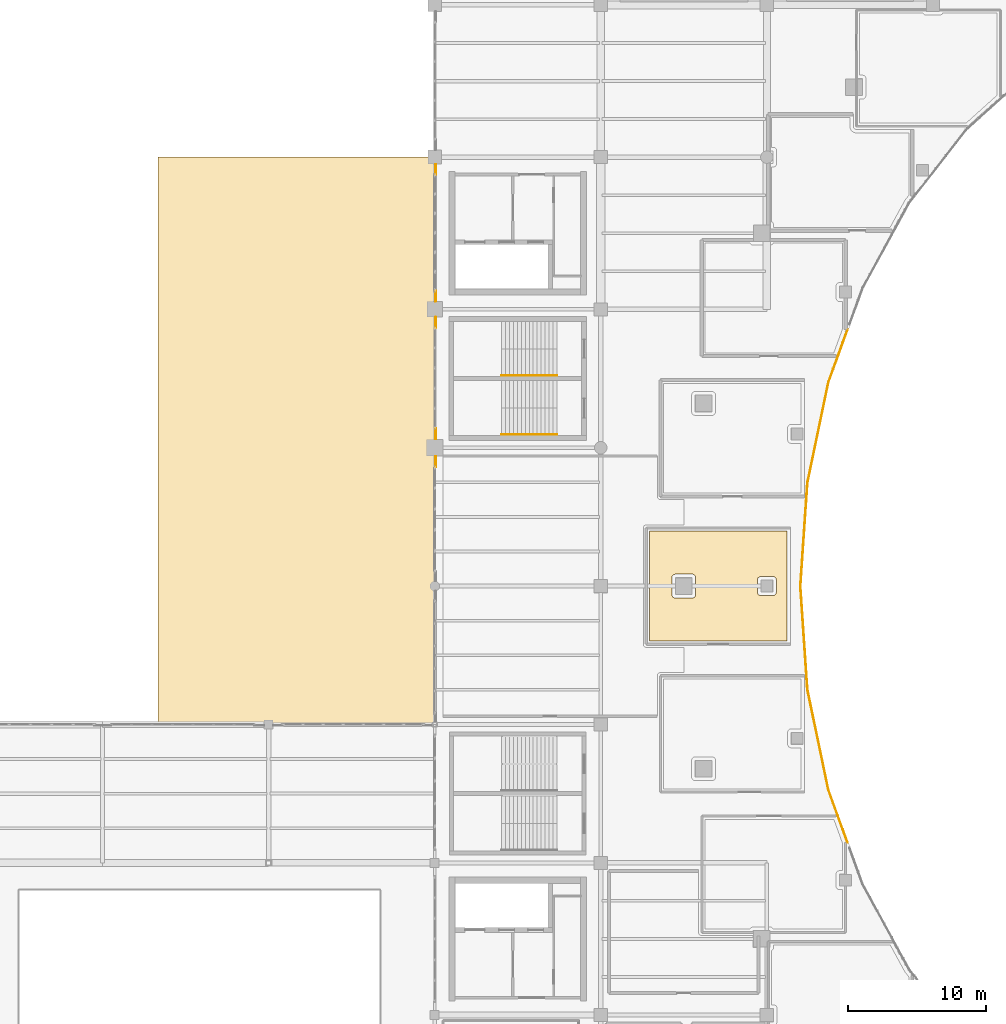
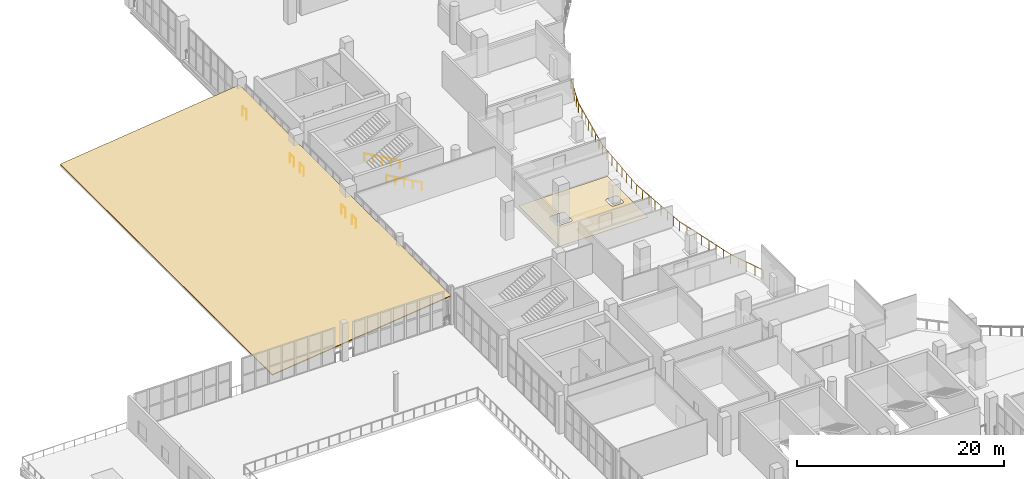
# One storey, part 82 of 90: 8 railings, 2 coverings.
"""IFC4 building model written with IfcOpenShell, lengths in metres."""

from ifc_helpers import new_model, si_unit, direction, frame, origin, origin_2d, place, context, subcontext, project, spatial, polyline, circle, outline, extrude, material, layer, layer_set, type_object, element, save


model = new_model("IFC4")

# Units and contexts
model_context = context("Model", 3, precision=1e-05, world=origin(), true_north=direction((0.0, 1.0)))
body_context = subcontext(model_context, "Body", "Model", "MODEL_VIEW")
ifc_project = project(units=[si_unit("LENGTHUNIT", "METRE"), si_unit("AREAUNIT", "SQUARE_METRE"), si_unit("VOLUMEUNIT", "CUBIC_METRE"), si_unit("PLANEANGLEUNIT", "RADIAN"), si_unit("MASSUNIT", "GRAM", prefix="KILO")], contexts=[model_context])

# Site, building, storey
site_placement = place(None, origin())
site = spatial("IfcSite", under=ifc_project, at=site_placement, CompositionType="ELEMENT")
building_placement = place(site_placement, origin())
building = spatial("IfcBuilding", under=site, at=building_placement, Name="Brinegate Civic Arena", CompositionType="ELEMENT")
storey_placement = place(building_placement, frame((0.0, 0.0, 14.699951171875)))
storey = spatial("IfcBuildingStorey", under=building, at=storey_placement, Name="L03", CompositionType="ELEMENT", Elevation=14.699951171875)

# Covering
ifc_material_1 = material(Name="Polished coral terrazzo flooring")
ifc_layer_1 = layer(ifc_material_1, 0.028076171875, Name="Polished coral terrazzo flooring")
ifc_layer_set_1 = layer_set([ifc_layer_1], Name="Polished coral terrazzo flooring")
covering_type_1 = type_object("IfcCoveringType", Name="FLOORING-TERRAZZO-28", PredefinedType="FLOORING", material=ifc_layer_set_1)
covering_1_placement = place(storey_placement, origin())
element("IfcCovering", 1, at=covering_1_placement, inside=storey, type_object=covering_type_1, Name="Flooring L03-205", PredefinedType="FLOORING", context=body_context, shape_type="SweptSolid", body=[
    extrude(outline(polyline([(63.530029296875, 58.030029296875), (63.530029296875, 65.969970703125), (73.469970703125, 65.969970703125), (73.469970703125, 58.030029296875), (63.530029296875, 58.030029296875)]), holes=[polyline([(71.56494140625, 62.68505859375), (71.5400390625, 62.68408203125), (71.51611328125, 62.679931640625), (71.491943359375, 62.674072265625), (71.468994140625, 62.666015625), (71.447021484375, 62.655029296875), (71.426025390625, 62.64306640625), (71.406005859375, 62.6279296875), (71.387939453125, 62.612060546875), (71.3720703125, 62.593994140625), (71.35693359375, 62.573974609375), (71.344970703125, 62.552978515625), (71.333984375, 62.531005859375), (71.325927734375, 62.508056640625), (71.320068359375, 62.48388671875), (71.31591796875, 62.4599609375), (71.31494140625, 62.43505859375), (71.31494140625, 61.56494140625), (71.31591796875, 61.5400390625), (71.320068359375, 61.51611328125), (71.325927734375, 61.491943359375), (71.333984375, 61.468994140625), (71.344970703125, 61.447021484375), (71.35693359375, 61.426025390625), (71.3720703125, 61.406005859375), (71.387939453125, 61.387939453125), (71.406005859375, 61.3720703125), (71.426025390625, 61.35693359375), (71.447021484375, 61.344970703125), (71.468994140625, 61.333984375), (71.491943359375, 61.325927734375), (71.51611328125, 61.320068359375), (71.5400390625, 61.31591796875), (71.56494140625, 61.31494140625), (72.43505859375, 61.31494140625), (72.4599609375, 61.31591796875), (72.48388671875, 61.320068359375), (72.508056640625, 61.325927734375), (72.531005859375, 61.333984375), (72.552978515625, 61.344970703125), (72.573974609375, 61.35693359375), (72.593994140625, 61.3720703125), (72.612060546875, 61.387939453125), (72.6279296875, 61.406005859375), (72.64306640625, 61.426025390625), (72.655029296875, 61.447021484375), (72.666015625, 61.468994140625), (72.674072265625, 61.491943359375), (72.679931640625, 61.51611328125), (72.68408203125, 61.5400390625), (72.68505859375, 61.56494140625), (72.68505859375, 62.43505859375), (72.68408203125, 62.4599609375), (72.679931640625, 62.48388671875), (72.674072265625, 62.508056640625), (72.666015625, 62.531005859375), (72.655029296875, 62.552978515625), (72.64306640625, 62.573974609375), (72.6279296875, 62.593994140625), (72.612060546875, 62.612060546875), (72.593994140625, 62.6279296875), (72.573974609375, 62.64306640625), (72.552978515625, 62.655029296875), (72.531005859375, 62.666015625), (72.508056640625, 62.674072265625), (72.48388671875, 62.679931640625), (72.4599609375, 62.68408203125), (72.43505859375, 62.68505859375), (71.56494140625, 62.68505859375)]), polyline([(65.389892578125, 62.860107421875), (65.364990234375, 62.85888671875), (65.341064453125, 62.85498046875), (65.31689453125, 62.84912109375), (65.2939453125, 62.841064453125), (65.27197265625, 62.830078125), (65.2509765625, 62.818115234375), (65.23095703125, 62.802978515625), (65.212890625, 62.787109375), (65.197021484375, 62.76904296875), (65.181884765625, 62.7490234375), (65.169921875, 62.72802734375), (65.158935546875, 62.7060546875), (65.15087890625, 62.68310546875), (65.14501953125, 62.658935546875), (65.14111328125, 62.635009765625), (65.139892578125, 62.610107421875), (65.139892578125, 61.389892578125), (65.14111328125, 61.364990234375), (65.14501953125, 61.341064453125), (65.15087890625, 61.31689453125), (65.158935546875, 61.2939453125), (65.169921875, 61.27197265625), (65.181884765625, 61.2509765625), (65.197021484375, 61.23095703125), (65.212890625, 61.212890625), (65.23095703125, 61.197021484375), (65.2509765625, 61.181884765625), (65.27197265625, 61.169921875), (65.2939453125, 61.158935546875), (65.31689453125, 61.15087890625), (65.341064453125, 61.14501953125), (65.364990234375, 61.14111328125), (65.389892578125, 61.139892578125), (66.610107421875, 61.139892578125), (66.635009765625, 61.14111328125), (66.658935546875, 61.14501953125), (66.68310546875, 61.15087890625), (66.7060546875, 61.158935546875), (66.72802734375, 61.169921875), (66.7490234375, 61.181884765625), (66.76904296875, 61.197021484375), (66.787109375, 61.212890625), (66.802978515625, 61.23095703125), (66.818115234375, 61.2509765625), (66.830078125, 61.27197265625), (66.841064453125, 61.2939453125), (66.84912109375, 61.31689453125), (66.85498046875, 61.341064453125), (66.85888671875, 61.364990234375), (66.860107421875, 61.389892578125), (66.860107421875, 62.610107421875), (66.85888671875, 62.635009765625), (66.85498046875, 62.658935546875), (66.84912109375, 62.68310546875), (66.841064453125, 62.7060546875), (66.830078125, 62.72802734375), (66.818115234375, 62.7490234375), (66.802978515625, 62.76904296875), (66.787109375, 62.787109375), (66.76904296875, 62.802978515625), (66.7490234375, 62.818115234375), (66.72802734375, 62.830078125), (66.7060546875, 62.841064453125), (66.68310546875, 62.84912109375), (66.658935546875, 62.85498046875), (66.635009765625, 62.85888671875), (66.610107421875, 62.860107421875), (65.389892578125, 62.860107421875)])]), origin(), (0.0, 0.0, 1.0), 0.028076171875),
])

# Railings
ifc_material_2 = material(Name="Architectural stainless steel balustrade", Category="steel")
railing_type_1 = type_object("IfcRailingType", Name="RAIL-STAIR-HANDRAIL-900", PredefinedType="HANDRAIL", material=ifc_material_2)
for number, where, name in (
    (2, (52.840087890625, 72.955078125, 2.25), "Stair Pitch Handrail ST-07A L03"),
    (3, (52.840087890625, 77.22509765625, 2.25), "Stair Pitch Handrail ST-07B L03"),
):
    element("IfcRailing", number, at=place(storey_placement, frame(where)), inside=storey, type_object=railing_type_1, Name=name, PredefinedType="HANDRAIL", context=body_context, shape_type="SweptSolid", body=[
        extrude(circle(Radius=0.02392578125, at=origin_2d()), frame((0.001220703125, 0.0, 0.875), z_axis=(0.871049806155, 0.0, -0.491194701923), x_axis=(0.0, 1.0, 0.0)), (0.0, 0.0, 1.0), 4.57763671875),
        extrude(circle(Radius=0.02099609375, at=origin_2d()), origin(), (0.0, 0.0, 1.0), 0.849853515625),
        extrude(circle(Radius=0.02099609375, at=origin_2d()), frame((0.99755859375, 0.0, -0.5625)), (0.0, 0.0, 1.0), 0.849853515625),
        extrude(circle(Radius=0.02099609375, at=origin_2d()), frame((1.9951171875, 0.0, -1.125)), (0.0, 0.0, 1.0), 0.849853515625),
        extrude(circle(Radius=0.02099609375, at=origin_2d()), frame((2.992431640625, 0.0, -1.6875)), (0.0, 0.0, 1.0), 0.849853515625),
        extrude(circle(Radius=0.02099609375, at=origin_2d()), frame((3.989990234375, 0.0, -2.25)), (0.0, 0.0, 1.0), 0.849853515625),
    ])
railing_type_2 = type_object("IfcRailingType", Name="RAIL-VOID-BALUSTRADE-1120", PredefinedType="BALUSTRADE", material=ifc_material_2)
for number, where, name in (
    (4, (48.070068359375, 70.60107421875, 0.0), "Deck Edge Balustrade L03-221"),
    (5, (48.070068359375, 72.6201171875, 0.0), "Deck Edge Balustrade L03-222"),
):
    element("IfcRailing", number, at=place(storey_placement, frame(where)), inside=storey, type_object=railing_type_2, Name=name, PredefinedType="BALUSTRADE", context=body_context, shape_type="SweptSolid", body=[
        extrude(circle(Radius=0.02392578125, at=origin_2d()), frame((0.0, 0.00146484375, 1.09619140625), z_axis=(0.0, 1.0, 0.0), x_axis=(-1.0, 0.0, 0.0)), (0.0, 0.0, 1.0), 0.77587890625),
        extrude(circle(Radius=0.02099609375, at=origin_2d()), origin(), (0.0, 0.0, 1.0), 1.070068359375),
        extrude(circle(Radius=0.02099609375, at=origin_2d()), frame((0.0, 0.77880859375, 0.0)), (0.0, 0.0, 1.0), 1.070068359375),
    ])
for number, where, name in (
    (6, (48.070068359375, 80.672119140625, 0.0), "Deck Edge Balustrade L03-223"),
    (7, (48.070068359375, 82.570068359375, 0.0), "Deck Edge Balustrade L03-224"),
):
    element("IfcRailing", number, at=place(storey_placement, frame(where)), inside=storey, type_object=railing_type_2, Name=name, PredefinedType="BALUSTRADE", context=body_context, shape_type="SweptSolid", body=[
        extrude(circle(Radius=0.02392578125, at=origin_2d()), frame((0.0, 0.00146484375, 1.09619140625), z_axis=(0.0, 1.0, 0.0), x_axis=(-1.0, 0.0, 0.0)), (0.0, 0.0, 1.0), 0.7548828125),
        extrude(circle(Radius=0.02099609375, at=origin_2d()), origin(), (0.0, 0.0, 1.0), 1.070068359375),
        extrude(circle(Radius=0.02099609375, at=origin_2d()), frame((0.0, 0.7578125, 0.0)), (0.0, 0.0, 1.0), 1.070068359375),
    ])
railing_1_placement = place(storey_placement, frame((48.070068359375, 91.742919921875, 0.0)))
element("IfcRailing", 8, at=railing_1_placement, inside=storey, type_object=railing_type_2, Name="Deck Edge Balustrade L03-225", PredefinedType="BALUSTRADE", context=body_context, shape_type="SweptSolid", body=[
    extrude(circle(Radius=0.02392578125, at=origin_2d()), frame((0.0, 0.00146484375, 1.09619140625), z_axis=(0.0, 1.0, 0.0), x_axis=(-1.0, 0.0, 0.0)), (0.0, 0.0, 1.0), 0.734130859375),
    extrude(circle(Radius=0.02099609375, at=origin_2d()), origin(), (0.0, 0.0, 1.0), 1.070068359375),
    extrude(circle(Radius=0.02099609375, at=origin_2d()), frame((0.0, 0.737060546875, 0.0)), (0.0, 0.0, 1.0), 1.070068359375),
])
railing_2_placement = place(storey_placement, frame((77.8359375, 80.534912109375, 0.0)))
element("IfcRailing", 9, at=railing_2_placement, inside=storey, type_object=railing_type_2, Name="Deck Edge Balustrade L03-316", PredefinedType="BALUSTRADE", context=body_context, shape_type="SweptSolid", body=[
    extrude(circle(Radius=0.02392578125, at=origin_2d()), frame((-0.00048828125, -0.00146484375, 1.09619140625), z_axis=(-0.341433059103, -0.939906094326, 0.0), x_axis=(0.939906094326, -0.341433059103, 0.0)), (0.0, 0.0, 1.0), 4.044189453125),
    extrude(circle(Radius=0.02392578125, at=origin_2d()), frame((-1.382080078125, -3.805419921875, 1.09619140625), z_axis=(-0.204438642171, -0.97887938051, 0.0), x_axis=(0.97887938051, -0.204438642171, 0.0)), (0.0, 0.0, 1.0), 7.4033203125),
    extrude(circle(Radius=0.02392578125, at=origin_2d()), frame((-2.89599609375, -11.055419921875, 1.09619140625), z_axis=(-0.068060740111, -0.997681179363, 0.0), x_axis=(0.997681179363, -0.068060740111, 0.0)), (0.0, 0.0, 1.0), 7.490478515625),
    extrude(circle(Radius=0.02392578125, at=origin_2d()), frame((-3.406005859375, -18.531494140625, 1.09619140625), z_axis=(0.067924396165, -0.997690471241, 0.0), x_axis=(0.997690471241, 0.067924396165, 0.0)), (0.0, 0.0, 1.0), 7.4912109375),
    extrude(circle(Radius=0.02392578125, at=origin_2d()), frame((-2.896728515625, -26.00830078125, 1.09619140625), z_axis=(0.204180702047, -0.978933215757, 0.0), x_axis=(0.978933215757, 0.204180702047, 0.0)), (0.0, 0.0, 1.0), 7.402099609375),
    extrude(circle(Radius=0.02392578125, at=origin_2d()), frame((-1.384521484375, -33.25732421875, 1.09619140625), z_axis=(0.341332395648, -0.939942655528, 0.0), x_axis=(0.939942655528, 0.341332395648, 0.0)), (0.0, 0.0, 1.0), 4.0546875),
    extrude(circle(Radius=0.02099609375, at=origin_2d()), origin(), (0.0, 0.0, 1.0), 1.070068359375),
    extrude(circle(Radius=0.02099609375, at=origin_2d()), frame((-0.345458984375, -0.950927734375, 0.0)), (0.0, 0.0, 1.0), 1.070068359375),
    extrude(circle(Radius=0.02099609375, at=origin_2d()), frame((-0.69091796875, -1.90185546875, 0.0)), (0.0, 0.0, 1.0), 1.070068359375),
    extrude(circle(Radius=0.02099609375, at=origin_2d()), frame((-1.036376953125, -2.85302734375, 0.0)), (0.0, 0.0, 1.0), 1.070068359375),
    extrude(circle(Radius=0.02099609375, at=origin_2d()), frame((-1.3818359375, -3.803955078125, 0.0)), (0.0, 0.0, 1.0), 1.070068359375),
    extrude(circle(Radius=0.02099609375, at=origin_2d()), frame((-1.59814453125, -4.839599609375, 0.0)), (0.0, 0.0, 1.0), 1.070068359375),
    extrude(circle(Radius=0.02099609375, at=origin_2d()), frame((-1.814453125, -5.87548828125, 0.0)), (0.0, 0.0, 1.0), 1.070068359375),
    extrude(circle(Radius=0.02099609375, at=origin_2d()), frame((-2.03076171875, -6.9111328125, 0.0)), (0.0, 0.0, 1.0), 1.070068359375),
    extrude(circle(Radius=0.02099609375, at=origin_2d()), frame((-2.2470703125, -7.94677734375, 0.0)), (0.0, 0.0, 1.0), 1.070068359375),
    extrude(circle(Radius=0.02099609375, at=origin_2d()), frame((-2.46337890625, -8.982421875, 0.0)), (0.0, 0.0, 1.0), 1.070068359375),
    extrude(circle(Radius=0.02099609375, at=origin_2d()), frame((-2.6796875, -10.018310546875, 0.0)), (0.0, 0.0, 1.0), 1.070068359375),
    extrude(circle(Radius=0.02099609375, at=origin_2d()), frame((-2.89599609375, -11.053955078125, 0.0)), (0.0, 0.0, 1.0), 1.070068359375),
    extrude(circle(Radius=0.02099609375, at=origin_2d()), frame((-2.96875, -12.1220703125, 0.0)), (0.0, 0.0, 1.0), 1.070068359375),
    extrude(circle(Radius=0.02099609375, at=origin_2d()), frame((-3.041748046875, -13.18994140625, 0.0)), (0.0, 0.0, 1.0), 1.070068359375),
    extrude(circle(Radius=0.02099609375, at=origin_2d()), frame((-3.114501953125, -14.258056640625, 0.0)), (0.0, 0.0, 1.0), 1.070068359375),
    extrude(circle(Radius=0.02099609375, at=origin_2d()), frame((-3.1875, -15.325927734375, 0.0)), (0.0, 0.0, 1.0), 1.070068359375),
    extrude(circle(Radius=0.02099609375, at=origin_2d()), frame((-3.26025390625, -16.39404296875, 0.0)), (0.0, 0.0, 1.0), 1.070068359375),
    extrude(circle(Radius=0.02099609375, at=origin_2d()), frame((-3.333251953125, -17.4619140625, 0.0)), (0.0, 0.0, 1.0), 1.070068359375),
    extrude(circle(Radius=0.02099609375, at=origin_2d()), frame((-3.406005859375, -18.530029296875, 0.0)), (0.0, 0.0, 1.0), 1.070068359375),
    extrude(circle(Radius=0.02099609375, at=origin_2d()), frame((-3.333251953125, -19.59814453125, 0.0)), (0.0, 0.0, 1.0), 1.070068359375),
    extrude(circle(Radius=0.02099609375, at=origin_2d()), frame((-3.260498046875, -20.666259765625, 0.0)), (0.0, 0.0, 1.0), 1.070068359375),
    extrude(circle(Radius=0.02099609375, at=origin_2d()), frame((-3.187744140625, -21.734375, 0.0)), (0.0, 0.0, 1.0), 1.070068359375),
    extrude(circle(Radius=0.02099609375, at=origin_2d()), frame((-3.115234375, -22.802490234375, 0.0)), (0.0, 0.0, 1.0), 1.070068359375),
    extrude(circle(Radius=0.02099609375, at=origin_2d()), frame((-3.04248046875, -23.87060546875, 0.0)), (0.0, 0.0, 1.0), 1.070068359375),
    extrude(circle(Radius=0.02099609375, at=origin_2d()), frame((-2.9697265625, -24.938720703125, 0.0)), (0.0, 0.0, 1.0), 1.070068359375),
    extrude(circle(Radius=0.02099609375, at=origin_2d()), frame((-2.89697265625, -26.0068359375, 0.0)), (0.0, 0.0, 1.0), 1.070068359375),
    extrude(circle(Radius=0.02099609375, at=origin_2d()), frame((-2.680908203125, -27.04248046875, 0.0)), (0.0, 0.0, 1.0), 1.070068359375),
    extrude(circle(Radius=0.02099609375, at=origin_2d()), frame((-2.465087890625, -28.077880859375, 0.0)), (0.0, 0.0, 1.0), 1.070068359375),
    extrude(circle(Radius=0.02099609375, at=origin_2d()), frame((-2.2490234375, -29.113525390625, 0.0)), (0.0, 0.0, 1.0), 1.070068359375),
    extrude(circle(Radius=0.02099609375, at=origin_2d()), frame((-2.032958984375, -30.149169921875, 0.0)), (0.0, 0.0, 1.0), 1.070068359375),
    extrude(circle(Radius=0.02099609375, at=origin_2d()), frame((-1.81689453125, -31.184814453125, 0.0)), (0.0, 0.0, 1.0), 1.070068359375),
    extrude(circle(Radius=0.02099609375, at=origin_2d()), frame((-1.60107421875, -32.22021484375, 0.0)), (0.0, 0.0, 1.0), 1.070068359375),
    extrude(circle(Radius=0.02099609375, at=origin_2d()), frame((-1.385009765625, -33.255859375, 0.0)), (0.0, 0.0, 1.0), 1.070068359375),
    extrude(circle(Radius=0.02099609375, at=origin_2d()), frame((-1.038818359375, -34.20947265625, 0.0)), (0.0, 0.0, 1.0), 1.070068359375),
    extrude(circle(Radius=0.02099609375, at=origin_2d()), frame((-0.6923828125, -35.162841796875, 0.0)), (0.0, 0.0, 1.0), 1.070068359375),
    extrude(circle(Radius=0.02099609375, at=origin_2d()), frame((-0.34619140625, -36.1162109375, 0.0)), (0.0, 0.0, 1.0), 1.070068359375),
    extrude(circle(Radius=0.02099609375, at=origin_2d()), frame((0.0, -37.06982421875, 0.0)), (0.0, 0.0, 1.0), 1.070068359375),
])

# Covering
ifc_material_3 = material(Name="Standing-seam insulated aluminium roofing", Category="aluminium")
ifc_layer_2 = layer(ifc_material_3, 0.10009765625, Name="Standing-seam insulated aluminium roofing")
ifc_layer_set_2 = layer_set([ifc_layer_2], Name="Standing-seam insulated aluminium roofing")
covering_type_2 = type_object("IfcCoveringType", Name="ROOFING-WING-SEAM-100", PredefinedType="ROOFING", material=ifc_layer_set_2)
covering_2_placement = place(storey_placement, frame((28.0, 52.0, 1.005126953125), z_axis=(-0.116690011076, 0.0, 0.993168385177), x_axis=(0.993168385177, 0.0, 0.116690011076)))
element("IfcCovering", 10, at=covering_2_placement, inside=storey, type_object=covering_type_2, Name="Standing Seam Roof Covering RFG-006", PredefinedType="ROOFING", context=body_context, shape_type="SweptSolid", body=[
    extrude(outline(polyline([(0.0, 0.0), (20.13757213630519, 0.0), (20.13757213630519, 41.0), (0.0, 41.0), (0.0, 0.0)])), origin(), (0.0, 0.0, -1.0), 0.10009765625),
])

save(model, "model.ifc")
